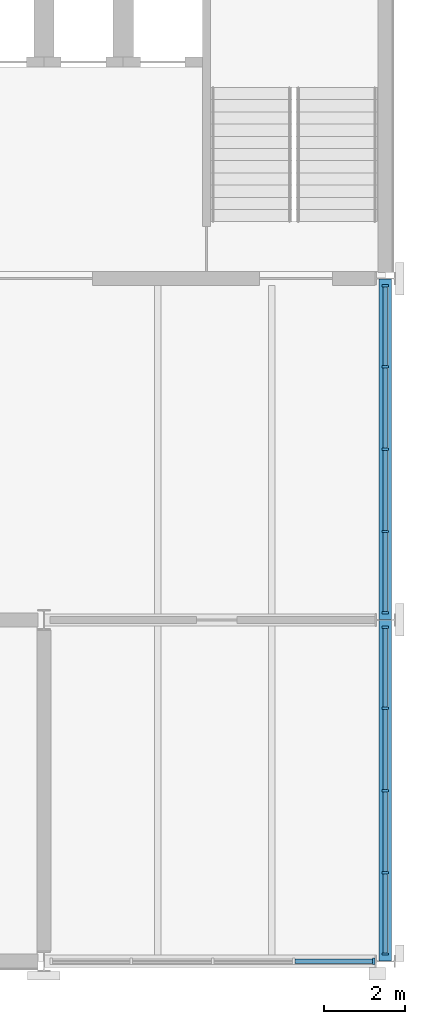
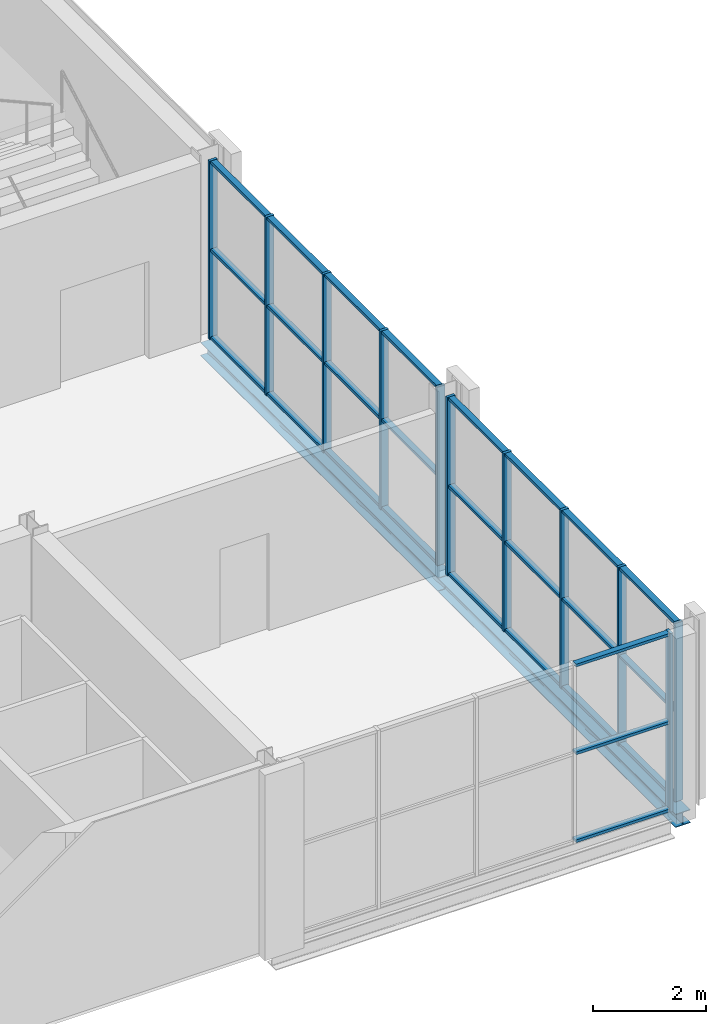
# One storey, part 6 of 12: 38 members, 2 beams, 3 elements without a shape of their own.
"""IFC4 building model written with IfcOpenShell, lengths in metres."""

from ifc_helpers import new_model, si_unit, direction, frame, origin, origin_2d, place, context, subcontext, project, spatial, rectangle, i_section, extrude, material, layer, layer_set, material_profile, profile_set, type_object, element, aggregate, save


model = new_model("IFC4")

# Units and contexts
model_context = context("Model", 3, precision=1e-05, world=origin(), true_north=direction((0.0, 1.0)))
body_context = subcontext(model_context, "Body", "Model", "MODEL_VIEW")
ifc_project = project(units=[si_unit("LENGTHUNIT", "METRE"), si_unit("AREAUNIT", "SQUARE_METRE"), si_unit("VOLUMEUNIT", "CUBIC_METRE"), si_unit("PLANEANGLEUNIT", "RADIAN"), si_unit("MASSUNIT", "GRAM", prefix="KILO")], contexts=[model_context])

# Site, building, storey
site_placement = place(None, origin())
site = spatial("IfcSite", under=ifc_project, at=site_placement, CompositionType="ELEMENT")
building_placement = place(site_placement, origin())
building = spatial("IfcBuilding", under=site, at=building_placement, Name="Galleria Vessillo Department Store", CompositionType="ELEMENT")
storey_placement = place(building_placement, frame((0.0, 0.0, 43.60009765625)))
storey = spatial("IfcBuildingStorey", under=building, at=storey_placement, Name="L09", CompositionType="ELEMENT", Elevation=43.60009765625)

# Curtain wall, member
ifc_material_1 = material(Name="Aluminium and glass curtain wall", Category="aluminium")
ifc_layer = layer(ifc_material_1, 0.159912109375)
ifc_layer_set = layer_set([ifc_layer], Name="Aluminium and glass curtain wall")
curtain_wall_type = type_object("IfcCurtainWallType", Name="Tower curtain wall CW4 2100 module", PredefinedType="NOTDEFINED", material=ifc_layer_set)
curtain_wall_1_placement = place(storey_placement, origin())
curtain_wall_1 = element("IfcCurtainWall", 1, at=curtain_wall_1_placement, inside=storey, type_object=curtain_wall_type, Name="Tower curtain wall CW4 2100 module TS-L09-03", PredefinedType="NOTDEFINED")
ifc_material_2 = material(Name="Aluminium alloy 6063 T6", Category="aluminium")
ifc_material_profile_1 = material_profile(ifc_material_2, rectangle(XDim=0.159912109375, YDim=0.06005859375, at=origin_2d()), Name="AL 60x160")
ifc_profile_set_1 = profile_set([ifc_material_profile_1], Name="Aluminium alloy 6063 T6")
member_type_1 = type_object("IfcMemberType", Name="Aluminium mullion 60 x 160", PredefinedType="MULLION", material=ifc_profile_set_1)
member_1_placement = place(storey_placement, frame((117.320068359375, 37.800048828125, 0.0), z_axis=(0.0, 0.0, 1.0), x_axis=(0.0, 1.0, 0.0)))
member_1 = element("IfcMember", 2, at=member_1_placement, type_object=member_type_1, Name="CW4 mullion 5", PredefinedType="MULLION", context=body_context, shape_type="SweptSolid", body=[
    extrude(rectangle(XDim=0.159912109375, YDim=0.06005859375, at=origin_2d()), origin(), (0.0, 0.0, 1.0), 3.85009765625),
])

# Curtain wall, members
curtain_wall_2_placement = place(storey_placement, origin())
curtain_wall_2 = element("IfcCurtainWall", 3, at=curtain_wall_2_placement, inside=storey, type_object=curtain_wall_type, Name="Tower curtain wall CW4 2100 module TE-L09-01", PredefinedType="NOTDEFINED")
member_2_placement = place(storey_placement, frame((117.60009765625, 37.97998046875, 0.0), z_axis=(0.0, 0.0, 1.0), x_axis=(-1.0, 0.0, 0.0)))
member_2 = element("IfcMember", 4, at=member_2_placement, type_object=member_type_1, Name="CW4 mullion 1", PredefinedType="MULLION", context=body_context, shape_type="SweptSolid", body=[
    extrude(rectangle(XDim=0.159912109375, YDim=0.06005859375, at=origin_2d()), origin(), (0.0, 0.0, 1.0), 3.85009765625),
])
member_3_placement = place(storey_placement, frame((117.60009765625, 39.97509765625, 0.0), z_axis=(0.0, 0.0, 1.0), x_axis=(-1.0, 0.0, 0.0)))
member_3 = element("IfcMember", 5, at=member_3_placement, type_object=member_type_1, Name="CW4 mullion 2", PredefinedType="MULLION", context=body_context, shape_type="SweptSolid", body=[
    extrude(rectangle(XDim=0.159912109375, YDim=0.06005859375, at=origin_2d()), origin(), (0.0, 0.0, 1.0), 3.85009765625),
])
member_4_placement = place(storey_placement, frame((117.60009765625, 42.0, 0.0), z_axis=(0.0, 0.0, 1.0), x_axis=(-1.0, 0.0, 0.0)))
member_4 = element("IfcMember", 6, at=member_4_placement, type_object=member_type_1, Name="CW4 mullion 3", PredefinedType="MULLION", context=body_context, shape_type="SweptSolid", body=[
    extrude(rectangle(XDim=0.159912109375, YDim=0.06005859375, at=origin_2d()), origin(), (0.0, 0.0, 1.0), 3.85009765625),
])
member_5_placement = place(storey_placement, frame((117.60009765625, 44.02490234375, 0.0), z_axis=(0.0, 0.0, 1.0), x_axis=(-1.0, 0.0, 0.0)))
member_5 = element("IfcMember", 7, at=member_5_placement, type_object=member_type_1, Name="CW4 mullion 4", PredefinedType="MULLION", context=body_context, shape_type="SweptSolid", body=[
    extrude(rectangle(XDim=0.159912109375, YDim=0.06005859375, at=origin_2d()), origin(), (0.0, 0.0, 1.0), 3.85009765625),
])
member_6_placement = place(storey_placement, frame((117.60009765625, 46.02001953125, 0.0), z_axis=(0.0, 0.0, 1.0), x_axis=(-1.0, 0.0, 0.0)))
member_6 = element("IfcMember", 8, at=member_6_placement, type_object=member_type_1, Name="CW4 mullion 5", PredefinedType="MULLION", context=body_context, shape_type="SweptSolid", body=[
    extrude(rectangle(XDim=0.159912109375, YDim=0.06005859375, at=origin_2d()), origin(), (0.0, 0.0, 1.0), 3.85009765625),
])

curtain_wall_3_placement = place(storey_placement, origin())
curtain_wall_3 = element("IfcCurtainWall", 9, at=curtain_wall_3_placement, inside=storey, type_object=curtain_wall_type, Name="Tower curtain wall CW4 2100 module TE-L09-02", PredefinedType="NOTDEFINED")
member_7_placement = place(storey_placement, frame((117.60009765625, 46.3798828125, 0.0), z_axis=(0.0, 0.0, 1.0), x_axis=(-1.0, 0.0, 0.0)))
member_7 = element("IfcMember", 10, at=member_7_placement, type_object=member_type_1, Name="CW4 mullion 1", PredefinedType="MULLION", context=body_context, shape_type="SweptSolid", body=[
    extrude(rectangle(XDim=0.159912109375, YDim=0.06005859375, at=origin_2d()), origin(), (0.0, 0.0, 1.0), 3.85009765625),
])
member_8_placement = place(storey_placement, frame((117.60009765625, 48.375, 0.0), z_axis=(0.0, 0.0, 1.0), x_axis=(-1.0, 0.0, 0.0)))
member_8 = element("IfcMember", 11, at=member_8_placement, type_object=member_type_1, Name="CW4 mullion 2", PredefinedType="MULLION", context=body_context, shape_type="SweptSolid", body=[
    extrude(rectangle(XDim=0.159912109375, YDim=0.06005859375, at=origin_2d()), origin(), (0.0, 0.0, 1.0), 3.85009765625),
])
member_9_placement = place(storey_placement, frame((117.60009765625, 50.39990234375, 0.0), z_axis=(0.0, 0.0, 1.0), x_axis=(-1.0, 0.0, 0.0)))
member_9 = element("IfcMember", 12, at=member_9_placement, type_object=member_type_1, Name="CW4 mullion 3", PredefinedType="MULLION", context=body_context, shape_type="SweptSolid", body=[
    extrude(rectangle(XDim=0.159912109375, YDim=0.06005859375, at=origin_2d()), origin(), (0.0, 0.0, 1.0), 3.85009765625),
])
member_10_placement = place(storey_placement, frame((117.60009765625, 52.425048828125, 0.0), z_axis=(0.0, 0.0, 1.0), x_axis=(-1.0, 0.0, 0.0)))
member_10 = element("IfcMember", 13, at=member_10_placement, type_object=member_type_1, Name="CW4 mullion 4", PredefinedType="MULLION", context=body_context, shape_type="SweptSolid", body=[
    extrude(rectangle(XDim=0.159912109375, YDim=0.06005859375, at=origin_2d()), origin(), (0.0, 0.0, 1.0), 3.85009765625),
])
member_11_placement = place(storey_placement, frame((117.60009765625, 54.420166015625, 0.0), z_axis=(0.0, 0.0, 1.0), x_axis=(-1.0, 0.0, 0.0)))
member_11 = element("IfcMember", 14, at=member_11_placement, type_object=member_type_1, Name="CW4 mullion 5", PredefinedType="MULLION", context=body_context, shape_type="SweptSolid", body=[
    extrude(rectangle(XDim=0.159912109375, YDim=0.06005859375, at=origin_2d()), origin(), (0.0, 0.0, 1.0), 3.85009765625),
])

# Member
ifc_material_3 = material(Name="Aluminium alloy 6063 T6", Category="aluminium")
ifc_material_profile_2 = material_profile(ifc_material_3, rectangle(XDim=0.1201171875, YDim=0.06005859375, at=origin_2d()), Name="AL 60x120")
ifc_profile_set_2 = profile_set([ifc_material_profile_2], Name="Aluminium alloy 6063 T6")
member_type_2 = type_object("IfcMemberType", Name="Aluminium transom 60 x 120", PredefinedType="USERDEFINED", material=ifc_profile_set_2)
member_12_placement = place(storey_placement, frame((115.380126953125, 37.800048828125, 0.030029296875), z_axis=(1.0, 0.0, 0.0), x_axis=(0.0, 1.0, 0.0)))
member_12 = element("IfcMember", 15, at=member_12_placement, type_object=member_type_2, Name="CW4 transom 4.1", ObjectType="TRANSOM", PredefinedType="USERDEFINED", context=body_context, shape_type="SweptSolid", body=[
    extrude(rectangle(XDim=0.1201171875, YDim=0.06005859375, at=origin_2d()), origin(), (0.0, 0.0, 1.0), 1.909912109375),
])

member_13_placement = place(storey_placement, frame((115.380126953125, 37.800048828125, 1.925048828125), z_axis=(1.0, 0.0, 0.0), x_axis=(0.0, 1.0, 0.0)))
member_13 = element("IfcMember", 16, at=member_13_placement, type_object=member_type_2, Name="CW4 transom 4.2", ObjectType="TRANSOM", PredefinedType="USERDEFINED", context=body_context, shape_type="SweptSolid", body=[
    extrude(rectangle(XDim=0.1201171875, YDim=0.06005859375, at=origin_2d()), origin(), (0.0, 0.0, 1.0), 1.909912109375),
])

member_14_placement = place(storey_placement, frame((115.380126953125, 37.800048828125, 3.820068359375), z_axis=(1.0, 0.0, 0.0), x_axis=(0.0, 1.0, 0.0)))
member_14 = element("IfcMember", 17, at=member_14_placement, type_object=member_type_2, Name="CW4 transom 4.3", ObjectType="TRANSOM", PredefinedType="USERDEFINED", context=body_context, shape_type="SweptSolid", body=[
    extrude(rectangle(XDim=0.1201171875, YDim=0.06005859375, at=origin_2d()), origin(), (0.0, 0.0, 1.0), 1.909912109375),
])

aggregate(curtain_wall_1, [member_1, member_12, member_13, member_14])

member_15_placement = place(storey_placement, frame((117.60009765625, 38.010009765625, 0.030029296875), z_axis=(0.0, 1.0, 0.0), x_axis=(-1.0, 0.0, 0.0)))
member_15 = element("IfcMember", 18, at=member_15_placement, type_object=member_type_2, Name="CW4 transom 1.1", ObjectType="TRANSOM", PredefinedType="USERDEFINED", context=body_context, shape_type="SweptSolid", body=[
    extrude(rectangle(XDim=0.1201171875, YDim=0.06005859375, at=origin_2d()), origin(), (0.0, 0.0, 1.0), 1.93505859375),
])

member_16_placement = place(storey_placement, frame((117.60009765625, 38.010009765625, 1.925048828125), z_axis=(0.0, 1.0, 0.0), x_axis=(-1.0, 0.0, 0.0)))
member_16 = element("IfcMember", 19, at=member_16_placement, type_object=member_type_2, Name="CW4 transom 1.2", ObjectType="TRANSOM", PredefinedType="USERDEFINED", context=body_context, shape_type="SweptSolid", body=[
    extrude(rectangle(XDim=0.1201171875, YDim=0.06005859375, at=origin_2d()), origin(), (0.0, 0.0, 1.0), 1.93505859375),
])

member_17_placement = place(storey_placement, frame((117.60009765625, 38.010009765625, 3.820068359375), z_axis=(0.0, 1.0, 0.0), x_axis=(-1.0, 0.0, 0.0)))
member_17 = element("IfcMember", 20, at=member_17_placement, type_object=member_type_2, Name="CW4 transom 1.3", ObjectType="TRANSOM", PredefinedType="USERDEFINED", context=body_context, shape_type="SweptSolid", body=[
    extrude(rectangle(XDim=0.1201171875, YDim=0.06005859375, at=origin_2d()), origin(), (0.0, 0.0, 1.0), 1.93505859375),
])

member_18_placement = place(storey_placement, frame((117.60009765625, 40.0048828125, 0.030029296875), z_axis=(0.0, 1.0, 0.0), x_axis=(-1.0, 0.0, 0.0)))
member_18 = element("IfcMember", 21, at=member_18_placement, type_object=member_type_2, Name="CW4 transom 2.1", ObjectType="TRANSOM", PredefinedType="USERDEFINED", context=body_context, shape_type="SweptSolid", body=[
    extrude(rectangle(XDim=0.1201171875, YDim=0.06005859375, at=origin_2d()), origin(), (0.0, 0.0, 1.0), 1.965087890625),
])

member_19_placement = place(storey_placement, frame((117.60009765625, 40.0048828125, 1.925048828125), z_axis=(0.0, 1.0, 0.0), x_axis=(-1.0, 0.0, 0.0)))
member_19 = element("IfcMember", 22, at=member_19_placement, type_object=member_type_2, Name="CW4 transom 2.2", ObjectType="TRANSOM", PredefinedType="USERDEFINED", context=body_context, shape_type="SweptSolid", body=[
    extrude(rectangle(XDim=0.1201171875, YDim=0.06005859375, at=origin_2d()), origin(), (0.0, 0.0, 1.0), 1.965087890625),
])

member_20_placement = place(storey_placement, frame((117.60009765625, 40.0048828125, 3.820068359375), z_axis=(0.0, 1.0, 0.0), x_axis=(-1.0, 0.0, 0.0)))
member_20 = element("IfcMember", 23, at=member_20_placement, type_object=member_type_2, Name="CW4 transom 2.3", ObjectType="TRANSOM", PredefinedType="USERDEFINED", context=body_context, shape_type="SweptSolid", body=[
    extrude(rectangle(XDim=0.1201171875, YDim=0.06005859375, at=origin_2d()), origin(), (0.0, 0.0, 1.0), 1.965087890625),
])

member_21_placement = place(storey_placement, frame((117.60009765625, 42.030029296875, 0.030029296875), z_axis=(0.0, 1.0, 0.0), x_axis=(-1.0, 0.0, 0.0)))
member_21 = element("IfcMember", 24, at=member_21_placement, type_object=member_type_2, Name="CW4 transom 3.1", ObjectType="TRANSOM", PredefinedType="USERDEFINED", context=body_context, shape_type="SweptSolid", body=[
    extrude(rectangle(XDim=0.1201171875, YDim=0.06005859375, at=origin_2d()), origin(), (0.0, 0.0, 1.0), 1.965087890625),
])

member_22_placement = place(storey_placement, frame((117.60009765625, 42.030029296875, 1.925048828125), z_axis=(0.0, 1.0, 0.0), x_axis=(-1.0, 0.0, 0.0)))
member_22 = element("IfcMember", 25, at=member_22_placement, type_object=member_type_2, Name="CW4 transom 3.2", ObjectType="TRANSOM", PredefinedType="USERDEFINED", context=body_context, shape_type="SweptSolid", body=[
    extrude(rectangle(XDim=0.1201171875, YDim=0.06005859375, at=origin_2d()), origin(), (0.0, 0.0, 1.0), 1.965087890625),
])

member_23_placement = place(storey_placement, frame((117.60009765625, 42.030029296875, 3.820068359375), z_axis=(0.0, 1.0, 0.0), x_axis=(-1.0, 0.0, 0.0)))
member_23 = element("IfcMember", 26, at=member_23_placement, type_object=member_type_2, Name="CW4 transom 3.3", ObjectType="TRANSOM", PredefinedType="USERDEFINED", context=body_context, shape_type="SweptSolid", body=[
    extrude(rectangle(XDim=0.1201171875, YDim=0.06005859375, at=origin_2d()), origin(), (0.0, 0.0, 1.0), 1.965087890625),
])

member_24_placement = place(storey_placement, frame((117.60009765625, 44.054931640625, 0.030029296875), z_axis=(0.0, 1.0, 0.0), x_axis=(-1.0, 0.0, 0.0)))
member_24 = element("IfcMember", 27, at=member_24_placement, type_object=member_type_2, Name="CW4 transom 4.1", ObjectType="TRANSOM", PredefinedType="USERDEFINED", context=body_context, shape_type="SweptSolid", body=[
    extrude(rectangle(XDim=0.1201171875, YDim=0.06005859375, at=origin_2d()), origin(), (0.0, 0.0, 1.0), 1.93505859375),
])

member_25_placement = place(storey_placement, frame((117.60009765625, 44.054931640625, 1.925048828125), z_axis=(0.0, 1.0, 0.0), x_axis=(-1.0, 0.0, 0.0)))
member_25 = element("IfcMember", 28, at=member_25_placement, type_object=member_type_2, Name="CW4 transom 4.2", ObjectType="TRANSOM", PredefinedType="USERDEFINED", context=body_context, shape_type="SweptSolid", body=[
    extrude(rectangle(XDim=0.1201171875, YDim=0.06005859375, at=origin_2d()), origin(), (0.0, 0.0, 1.0), 1.93505859375),
])

member_26_placement = place(storey_placement, frame((117.60009765625, 44.054931640625, 3.820068359375), z_axis=(0.0, 1.0, 0.0), x_axis=(-1.0, 0.0, 0.0)))
member_26 = element("IfcMember", 29, at=member_26_placement, type_object=member_type_2, Name="CW4 transom 4.3", ObjectType="TRANSOM", PredefinedType="USERDEFINED", context=body_context, shape_type="SweptSolid", body=[
    extrude(rectangle(XDim=0.1201171875, YDim=0.06005859375, at=origin_2d()), origin(), (0.0, 0.0, 1.0), 1.93505859375),
])

aggregate(curtain_wall_2, [member_2, member_3, member_4, member_5, member_6, member_15, member_16, member_17, member_18, member_19, member_20, member_21, member_22, member_23, member_24, member_25, member_26])

member_27_placement = place(storey_placement, frame((117.60009765625, 46.409912109375, 0.030029296875), z_axis=(0.0, 1.0, 0.0), x_axis=(-1.0, 0.0, 0.0)))
member_27 = element("IfcMember", 30, at=member_27_placement, type_object=member_type_2, Name="CW4 transom 1.1", ObjectType="TRANSOM", PredefinedType="USERDEFINED", context=body_context, shape_type="SweptSolid", body=[
    extrude(rectangle(XDim=0.1201171875, YDim=0.06005859375, at=origin_2d()), origin(), (0.0, 0.0, 1.0), 1.93505859375),
])

member_28_placement = place(storey_placement, frame((117.60009765625, 46.409912109375, 1.925048828125), z_axis=(0.0, 1.0, 0.0), x_axis=(-1.0, 0.0, 0.0)))
member_28 = element("IfcMember", 31, at=member_28_placement, type_object=member_type_2, Name="CW4 transom 1.2", ObjectType="TRANSOM", PredefinedType="USERDEFINED", context=body_context, shape_type="SweptSolid", body=[
    extrude(rectangle(XDim=0.1201171875, YDim=0.06005859375, at=origin_2d()), origin(), (0.0, 0.0, 1.0), 1.93505859375),
])

member_29_placement = place(storey_placement, frame((117.60009765625, 46.409912109375, 3.820068359375), z_axis=(0.0, 1.0, 0.0), x_axis=(-1.0, 0.0, 0.0)))
member_29 = element("IfcMember", 32, at=member_29_placement, type_object=member_type_2, Name="CW4 transom 1.3", ObjectType="TRANSOM", PredefinedType="USERDEFINED", context=body_context, shape_type="SweptSolid", body=[
    extrude(rectangle(XDim=0.1201171875, YDim=0.06005859375, at=origin_2d()), origin(), (0.0, 0.0, 1.0), 1.93505859375),
])

member_30_placement = place(storey_placement, frame((117.60009765625, 48.405029296875, 0.030029296875), z_axis=(0.0, 1.0, 0.0), x_axis=(-1.0, 0.0, 0.0)))
member_30 = element("IfcMember", 33, at=member_30_placement, type_object=member_type_2, Name="CW4 transom 2.1", ObjectType="TRANSOM", PredefinedType="USERDEFINED", context=body_context, shape_type="SweptSolid", body=[
    extrude(rectangle(XDim=0.1201171875, YDim=0.06005859375, at=origin_2d()), origin(), (0.0, 0.0, 1.0), 1.965087890625),
])

member_31_placement = place(storey_placement, frame((117.60009765625, 48.405029296875, 1.925048828125), z_axis=(0.0, 1.0, 0.0), x_axis=(-1.0, 0.0, 0.0)))
member_31 = element("IfcMember", 34, at=member_31_placement, type_object=member_type_2, Name="CW4 transom 2.2", ObjectType="TRANSOM", PredefinedType="USERDEFINED", context=body_context, shape_type="SweptSolid", body=[
    extrude(rectangle(XDim=0.1201171875, YDim=0.06005859375, at=origin_2d()), origin(), (0.0, 0.0, 1.0), 1.965087890625),
])

member_32_placement = place(storey_placement, frame((117.60009765625, 48.405029296875, 3.820068359375), z_axis=(0.0, 1.0, 0.0), x_axis=(-1.0, 0.0, 0.0)))
member_32 = element("IfcMember", 35, at=member_32_placement, type_object=member_type_2, Name="CW4 transom 2.3", ObjectType="TRANSOM", PredefinedType="USERDEFINED", context=body_context, shape_type="SweptSolid", body=[
    extrude(rectangle(XDim=0.1201171875, YDim=0.06005859375, at=origin_2d()), origin(), (0.0, 0.0, 1.0), 1.965087890625),
])

member_33_placement = place(storey_placement, frame((117.60009765625, 50.429931640625, 0.030029296875), z_axis=(0.0, 1.0, 0.0), x_axis=(-1.0, 0.0, 0.0)))
member_33 = element("IfcMember", 36, at=member_33_placement, type_object=member_type_2, Name="CW4 transom 3.1", ObjectType="TRANSOM", PredefinedType="USERDEFINED", context=body_context, shape_type="SweptSolid", body=[
    extrude(rectangle(XDim=0.1201171875, YDim=0.06005859375, at=origin_2d()), origin(), (0.0, 0.0, 1.0), 1.965087890625),
])

member_34_placement = place(storey_placement, frame((117.60009765625, 50.429931640625, 1.925048828125), z_axis=(0.0, 1.0, 0.0), x_axis=(-1.0, 0.0, 0.0)))
member_34 = element("IfcMember", 37, at=member_34_placement, type_object=member_type_2, Name="CW4 transom 3.2", ObjectType="TRANSOM", PredefinedType="USERDEFINED", context=body_context, shape_type="SweptSolid", body=[
    extrude(rectangle(XDim=0.1201171875, YDim=0.06005859375, at=origin_2d()), origin(), (0.0, 0.0, 1.0), 1.965087890625),
])

member_35_placement = place(storey_placement, frame((117.60009765625, 50.429931640625, 3.820068359375), z_axis=(0.0, 1.0, 0.0), x_axis=(-1.0, 0.0, 0.0)))
member_35 = element("IfcMember", 38, at=member_35_placement, type_object=member_type_2, Name="CW4 transom 3.3", ObjectType="TRANSOM", PredefinedType="USERDEFINED", context=body_context, shape_type="SweptSolid", body=[
    extrude(rectangle(XDim=0.1201171875, YDim=0.06005859375, at=origin_2d()), origin(), (0.0, 0.0, 1.0), 1.965087890625),
])

member_36_placement = place(storey_placement, frame((117.60009765625, 52.455078125, 0.030029296875), z_axis=(0.0, 1.0, 0.0), x_axis=(-1.0, 0.0, 0.0)))
member_36 = element("IfcMember", 39, at=member_36_placement, type_object=member_type_2, Name="CW4 transom 4.1", ObjectType="TRANSOM", PredefinedType="USERDEFINED", context=body_context, shape_type="SweptSolid", body=[
    extrude(rectangle(XDim=0.1201171875, YDim=0.06005859375, at=origin_2d()), origin(), (0.0, 0.0, 1.0), 1.93505859375),
])

member_37_placement = place(storey_placement, frame((117.60009765625, 52.455078125, 1.925048828125), z_axis=(0.0, 1.0, 0.0), x_axis=(-1.0, 0.0, 0.0)))
member_37 = element("IfcMember", 40, at=member_37_placement, type_object=member_type_2, Name="CW4 transom 4.2", ObjectType="TRANSOM", PredefinedType="USERDEFINED", context=body_context, shape_type="SweptSolid", body=[
    extrude(rectangle(XDim=0.1201171875, YDim=0.06005859375, at=origin_2d()), origin(), (0.0, 0.0, 1.0), 1.93505859375),
])

member_38_placement = place(storey_placement, frame((117.60009765625, 52.455078125, 3.820068359375), z_axis=(0.0, 1.0, 0.0), x_axis=(-1.0, 0.0, 0.0)))
member_38 = element("IfcMember", 41, at=member_38_placement, type_object=member_type_2, Name="CW4 transom 4.3", ObjectType="TRANSOM", PredefinedType="USERDEFINED", context=body_context, shape_type="SweptSolid", body=[
    extrude(rectangle(XDim=0.1201171875, YDim=0.06005859375, at=origin_2d()), origin(), (0.0, 0.0, 1.0), 1.93505859375),
])

aggregate(curtain_wall_3, [member_7, member_8, member_9, member_10, member_11, member_27, member_28, member_29, member_30, member_31, member_32, member_33, member_34, member_35, member_36, member_37, member_38])

# Beams
ifc_material_4 = material(Name="Steel S355 J2", Category="steel")
ifc_material_profile_3 = material_profile(ifc_material_4, i_section(OverallWidth=0.300048828125, OverallDepth=0.2900390625, WebThickness=0.008544921875, FlangeThickness=0.013916015625, FilletRadius=0.027099609375, at=origin_2d()), Name="HEA 300")
ifc_profile_set_3 = profile_set([ifc_material_profile_3], Name="Steel S355 J2")
beam_type = type_object("IfcBeamType", Name="Spandrel beam HEA 300", PredefinedType="SPANDREL", material=ifc_profile_set_3)
for number, where, z_axis, x_axis, name in (
    (42, (117.60009765625, 37.807373046875, -0.294921875), (0.0, 1.0, 0.0), (-1.0, 0.0, 0.0), "S-BM-L09-SP-y117600-37807"),
    (43, (117.60009765625, 46.207275390625, -0.294921875), (0.0, 1.0, 0.0), (-1.0, 0.0, 0.0), "S-BM-L09-SP-y117600-46207"),
):
    element("IfcBeam", number, at=place(storey_placement, frame(where, z_axis=z_axis, x_axis=x_axis)), inside=storey, type_object=beam_type, Name=name, PredefinedType="SPANDREL", context=body_context, shape_type="SweptSolid", body=[
        extrude(i_section(OverallWidth=0.300048828125, OverallDepth=0.2900390625, WebThickness=0.008544921875, FlangeThickness=0.013916015625, FilletRadius=0.027099609375, at=origin_2d()), origin(), (0.0, 0.0, 1.0), 8.38525390625),
    ])

save(model, "model.ifc")
